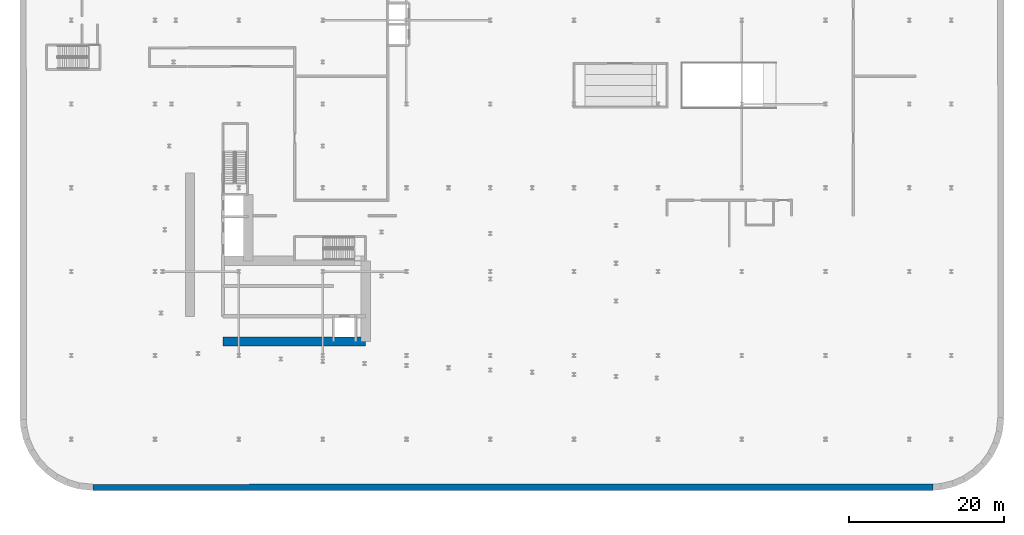
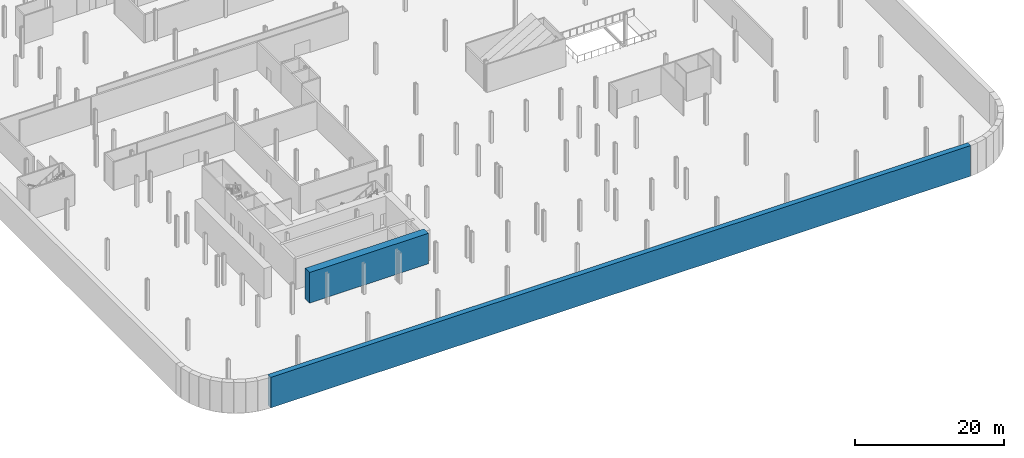
# One storey, part 7 of 19: 2 walls.
"""IFC4 building model written with IfcOpenShell, lengths in metres."""

from ifc_helpers import new_model, si_unit, direction, frame, frame_2d, origin, place, context, subcontext, project, spatial, rectangle, extrude, material, layer, layer_set, type_object, element, save


model = new_model("IFC4")

# Units and contexts
model_context = context("Model", 3, precision=1e-05, world=origin(), true_north=direction((0.0, 1.0)))
body_context = subcontext(model_context, "Body", "Model", "MODEL_VIEW")
ifc_project = project(units=[si_unit("LENGTHUNIT", "METRE"), si_unit("AREAUNIT", "SQUARE_METRE"), si_unit("VOLUMEUNIT", "CUBIC_METRE"), si_unit("PLANEANGLEUNIT", "RADIAN"), si_unit("MASSUNIT", "GRAM", prefix="KILO")], contexts=[model_context])

# Site, building, storey
site_placement = place(None, origin())
site = spatial("IfcSite", under=ifc_project, at=site_placement, CompositionType="ELEMENT")
building_placement = place(site_placement, origin())
building = spatial("IfcBuilding", under=site, at=building_placement, Name="Kheshtan School and Residences Tower", CompositionType="ELEMENT")
storey_placement = place(building_placement, frame((0.0, 0.0, -10.0)))
storey = spatial("IfcBuildingStorey", under=building, at=storey_placement, Name="B2", CompositionType="ELEMENT", Elevation=-10.0)

# Walls
ifc_material_1 = material(Name="Concrete C35/45", Category="concrete")
ifc_layer_1 = layer(ifc_material_1, 0.800048828125)
ifc_layer_set_1 = layer_set([ifc_layer_1], Name="Basement wall 800 Concrete C35/45")
wall_type_1 = type_object("IfcWallType", Name="Basement wall 800 Concrete C35/45", PredefinedType="SOLIDWALL", material=ifc_layer_set_1)
wall_1_placement = place(storey_placement, frame((126.260986328125, 7.010986328125, 0.0), z_axis=(0.0, 0.0, 1.0), x_axis=(-0.999999994851, -0.000101480029, 0.0)))
element("IfcWall", 1, at=wall_1_placement, inside=storey, type_object=wall_type_1, Name="Secant pile wall 30", PredefinedType="SOLIDWALL", context=body_context, shape_type="SweptSolid", body=[
    extrude(rectangle(XDim=108.260986328125, YDim=0.800048828125, at=frame_2d((54.13037109375, 0.0))), origin(), (0.0, 0.0, 1.0), 5.0),
])
ifc_material_2 = material(Name="Concrete C80/95", Category="concrete")
ifc_layer_2 = layer(ifc_material_2, 1.199951171875)
ifc_layer_set_2 = layer_set([ifc_layer_2], Name="Core wall 1200 Concrete C80/95")
wall_type_2 = type_object("IfcWallType", Name="Core wall 1200 Concrete C80/95", PredefinedType="SHEAR", material=ifc_layer_set_2)
wall_2_placement = place(storey_placement, frame((34.75, 25.800048828125, 0.0), z_axis=(0.0, 0.0, 1.0), x_axis=(1.0, 0.0, 0.0)))
element("IfcWall", 2, at=wall_2_placement, inside=storey, type_object=wall_type_2, Name="Core wall CW-REAR-S", PredefinedType="SHEAR", context=body_context, shape_type="SweptSolid", body=[
    extrude(rectangle(XDim=18.39990234375, YDim=1.199951171875, at=frame_2d((9.199951171875, 0.0))), origin(), (0.0, 0.0, 1.0), 5.0),
])

save(model, "model.ifc")
